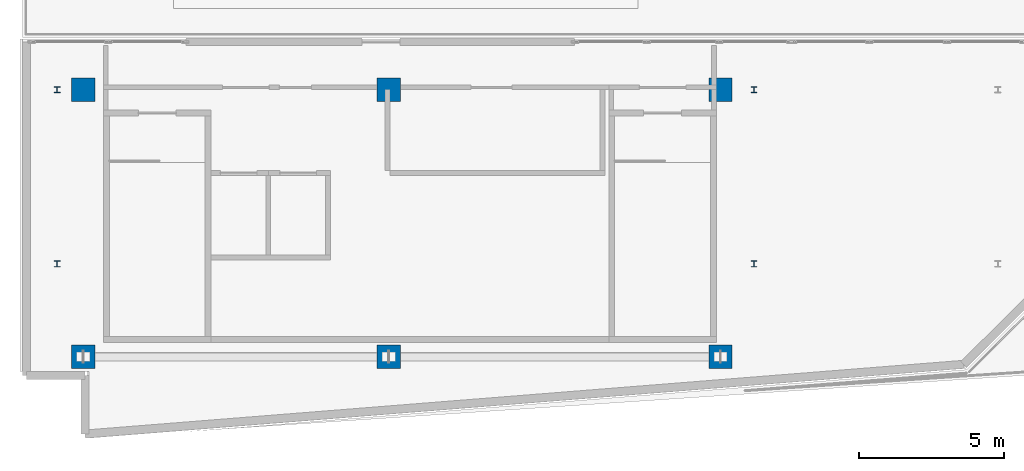
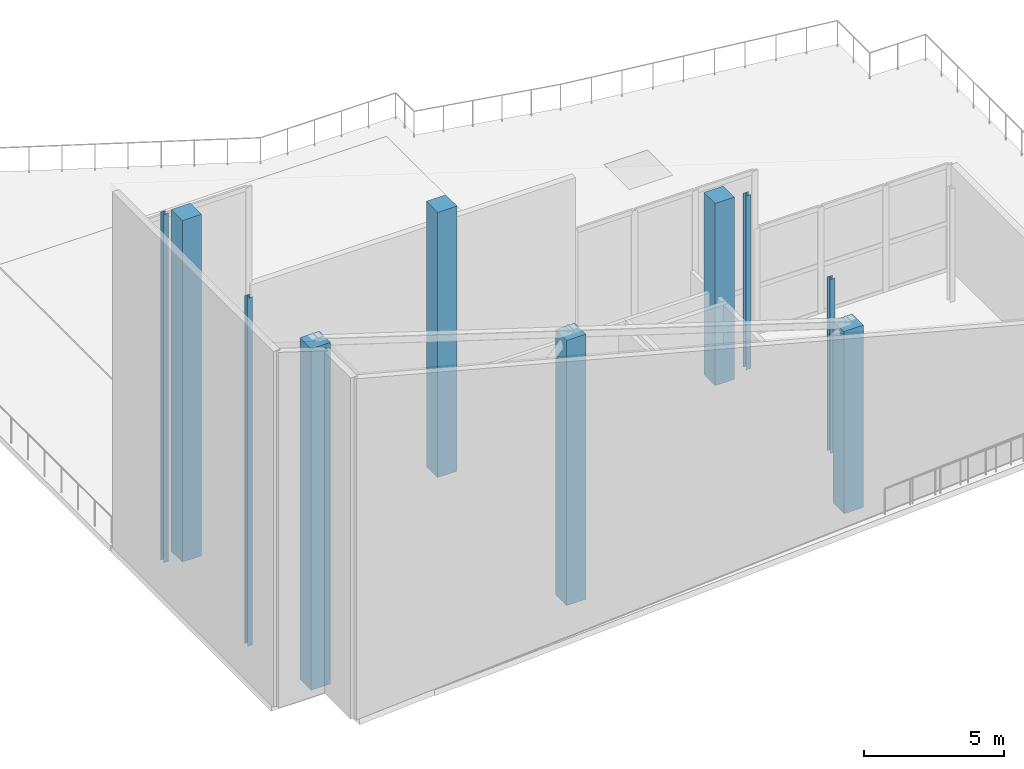
# One storey, part 1 of 9: 10 columns.
"""IFC4 building model written with IfcOpenShell, lengths in metres."""

from ifc_helpers import new_model, si_unit, direction, frame, origin, origin_2d, place, context, subcontext, project, spatial, rectangle, i_section, extrude, material, material_profile, profile_set, type_object, element, save


model = new_model("IFC4")

# Units and contexts
model_context = context("Model", 3, precision=1e-05, world=origin(), true_north=direction((0.0, 1.0)))
body_context = subcontext(model_context, "Body", "Model", "MODEL_VIEW")
ifc_project = project(units=[si_unit("LENGTHUNIT", "METRE"), si_unit("AREAUNIT", "SQUARE_METRE"), si_unit("VOLUMEUNIT", "CUBIC_METRE"), si_unit("PLANEANGLEUNIT", "RADIAN"), si_unit("MASSUNIT", "GRAM", prefix="KILO")], contexts=[model_context])

# Site, building, storey
site_placement = place(None, origin())
site = spatial("IfcSite", under=ifc_project, at=site_placement, CompositionType="ELEMENT")
building_placement = place(site_placement, origin())
building = spatial("IfcBuilding", under=site, at=building_placement, Name="Varnakote Quay Hospital", CompositionType="ELEMENT")
storey_placement = place(building_placement, frame((0.0, 0.0, 309.199951171875)))
storey = spatial("IfcBuildingStorey", under=building, at=storey_placement, Name="RF", CompositionType="ELEMENT", Elevation=309.199951171875)

# Columns
ifc_material_1 = material(Name="Concrete N50 (f'c 50 MPa)", Category="concrete")
ifc_material_profile_1 = material_profile(ifc_material_1, rectangle(XDim=0.800048828125, YDim=0.800048828125, at=origin_2d()), Name="RC-COL-800x800")
ifc_profile_set_1 = profile_set([ifc_material_profile_1], Name="Concrete N50 (f'c 50 MPa)")
column_type_1 = type_object("IfcColumnType", Name="COL-RC-800", PredefinedType="COLUMN", material=ifc_profile_set_1)
column_1_placement = place(storey_placement, frame((2.10009765625, 2.800048828125, 0.0), z_axis=(0.0, 0.0, 1.0), x_axis=(1.0, 0.0, 0.0)))
element("IfcColumn", 1, at=column_1_placement, inside=storey, type_object=column_type_1, Name="RF Crown Structural Column C-2553", PredefinedType="COLUMN", context=body_context, shape_type="SweptSolid", body=[
    extrude(rectangle(XDim=0.800048828125, YDim=0.800048828125, at=origin_2d()), origin(), (0.0, 0.0, 1.0), 14.876220703125),
])
column_2_placement = place(storey_placement, frame((12.6201171875, 2.800048828125, 0.0), z_axis=(0.0, 0.0, 1.0), x_axis=(1.0, 0.0, 0.0)))
element("IfcColumn", 2, at=column_2_placement, inside=storey, type_object=column_type_1, Name="RF Crown Structural Column C-2554", PredefinedType="COLUMN", context=body_context, shape_type="SweptSolid", body=[
    extrude(rectangle(XDim=0.800048828125, YDim=0.800048828125, at=origin_2d()), origin(), (0.0, 0.0, 1.0), 11.551025390625),
])
column_3_placement = place(storey_placement, frame((24.050048828125, 2.800048828125, 0.0), z_axis=(0.0, 0.0, 1.0), x_axis=(1.0, 0.0, 0.0)))
element("IfcColumn", 3, at=column_3_placement, inside=storey, type_object=column_type_1, Name="RF Crown Structural Column C-2555", PredefinedType="COLUMN", context=body_context, shape_type="SweptSolid", body=[
    extrude(rectangle(XDim=0.800048828125, YDim=0.800048828125, at=origin_2d()), origin(), (0.0, 0.0, 1.0), 7.93798828125),
])
column_4_placement = place(storey_placement, frame((2.10009765625, 12.0, 0.0), z_axis=(0.0, 0.0, 1.0), x_axis=(1.0, 0.0, 0.0)))
element("IfcColumn", 4, at=column_4_placement, inside=storey, type_object=column_type_1, Name="RF Crown Structural Column C-2560", PredefinedType="COLUMN", context=body_context, shape_type="SweptSolid", body=[
    extrude(rectangle(XDim=0.800048828125, YDim=0.800048828125, at=origin_2d()), origin(), (0.0, 0.0, 1.0), 14.876220703125),
])
column_5_placement = place(storey_placement, frame((12.6201171875, 12.0, 0.0), z_axis=(0.0, 0.0, 1.0), x_axis=(1.0, 0.0, 0.0)))
element("IfcColumn", 5, at=column_5_placement, inside=storey, type_object=column_type_1, Name="RF Crown Structural Column C-2561", PredefinedType="COLUMN", context=body_context, shape_type="SweptSolid", body=[
    extrude(rectangle(XDim=0.800048828125, YDim=0.800048828125, at=origin_2d()), origin(), (0.0, 0.0, 1.0), 11.551025390625),
])
column_6_placement = place(storey_placement, frame((24.050048828125, 12.0, 0.0), z_axis=(0.0, 0.0, 1.0), x_axis=(1.0, 0.0, 0.0)))
element("IfcColumn", 6, at=column_6_placement, inside=storey, type_object=column_type_1, Name="RF Crown Structural Column C-2562", PredefinedType="COLUMN", context=body_context, shape_type="SweptSolid", body=[
    extrude(rectangle(XDim=0.800048828125, YDim=0.800048828125, at=origin_2d()), origin(), (0.0, 0.0, 1.0), 7.93798828125),
])
ifc_material_2 = material(Name="Structural steel AS/NZS 3679.1 Grade 350 L0 (fy 340 MPa)", Category="steel")
ifc_material_profile_2 = material_profile(ifc_material_2, i_section(OverallWidth=0.205078125, OverallDepth=0.2099609375, WebThickness=0.00927734375, FlangeThickness=0.01416015625, FilletRadius=0.011474609375, at=origin_2d()), Name="200UC59.5")
ifc_profile_set_2 = profile_set([ifc_material_profile_2], Name="Structural steel AS/NZS 3679.1 Grade 350 L0 (fy 340 MPa)")
column_type_2 = type_object("IfcColumnType", Name="COL-STL-200UC59-5", PredefinedType="COLUMN", material=ifc_profile_set_2)
column_7_placement = place(storey_placement, frame((1.199951171875, 6.0, 0.0), z_axis=(0.0, 0.0, 1.0), x_axis=(1.0, 0.0, 0.0)))
element("IfcColumn", 7, at=column_7_placement, inside=storey, type_object=column_type_2, Name="RF Crown Structural Column C-2556", PredefinedType="COLUMN", context=body_context, shape_type="SweptSolid", body=[
    extrude(i_section(OverallWidth=0.205078125, OverallDepth=0.2099609375, WebThickness=0.00927734375, FlangeThickness=0.01416015625, FilletRadius=0.011474609375, at=origin_2d()), origin(), (0.0, 0.0, 1.0), 15.16064453125),
])
column_8_placement = place(storey_placement, frame((25.199951171875, 6.0, 0.0), z_axis=(0.0, 0.0, 1.0), x_axis=(1.0, 0.0, 0.0)))
element("IfcColumn", 8, at=column_8_placement, inside=storey, type_object=column_type_2, Name="RF Crown Structural Column C-2557", PredefinedType="COLUMN", context=body_context, shape_type="SweptSolid", body=[
    extrude(i_section(OverallWidth=0.205078125, OverallDepth=0.2099609375, WebThickness=0.00927734375, FlangeThickness=0.01416015625, FilletRadius=0.011474609375, at=origin_2d()), origin(), (0.0, 0.0, 1.0), 7.574462890625),
])
column_9_placement = place(storey_placement, frame((1.199951171875, 12.0, 0.0), z_axis=(0.0, 0.0, 1.0), x_axis=(1.0, 0.0, 0.0)))
element("IfcColumn", 9, at=column_9_placement, inside=storey, type_object=column_type_2, Name="RF Crown Structural Column C-2559", PredefinedType="COLUMN", context=body_context, shape_type="SweptSolid", body=[
    extrude(i_section(OverallWidth=0.205078125, OverallDepth=0.2099609375, WebThickness=0.00927734375, FlangeThickness=0.01416015625, FilletRadius=0.011474609375, at=origin_2d()), origin(), (0.0, 0.0, 1.0), 15.16064453125),
])
column_10_placement = place(storey_placement, frame((25.199951171875, 12.0, 0.0), z_axis=(0.0, 0.0, 1.0), x_axis=(1.0, 0.0, 0.0)))
element("IfcColumn", 10, at=column_10_placement, inside=storey, type_object=column_type_2, Name="RF Crown Structural Column C-2563", PredefinedType="COLUMN", context=body_context, shape_type="SweptSolid", body=[
    extrude(i_section(OverallWidth=0.205078125, OverallDepth=0.2099609375, WebThickness=0.00927734375, FlangeThickness=0.01416015625, FilletRadius=0.011474609375, at=origin_2d()), origin(), (0.0, 0.0, 1.0), 7.574462890625),
])

save(model, "model.ifc")
